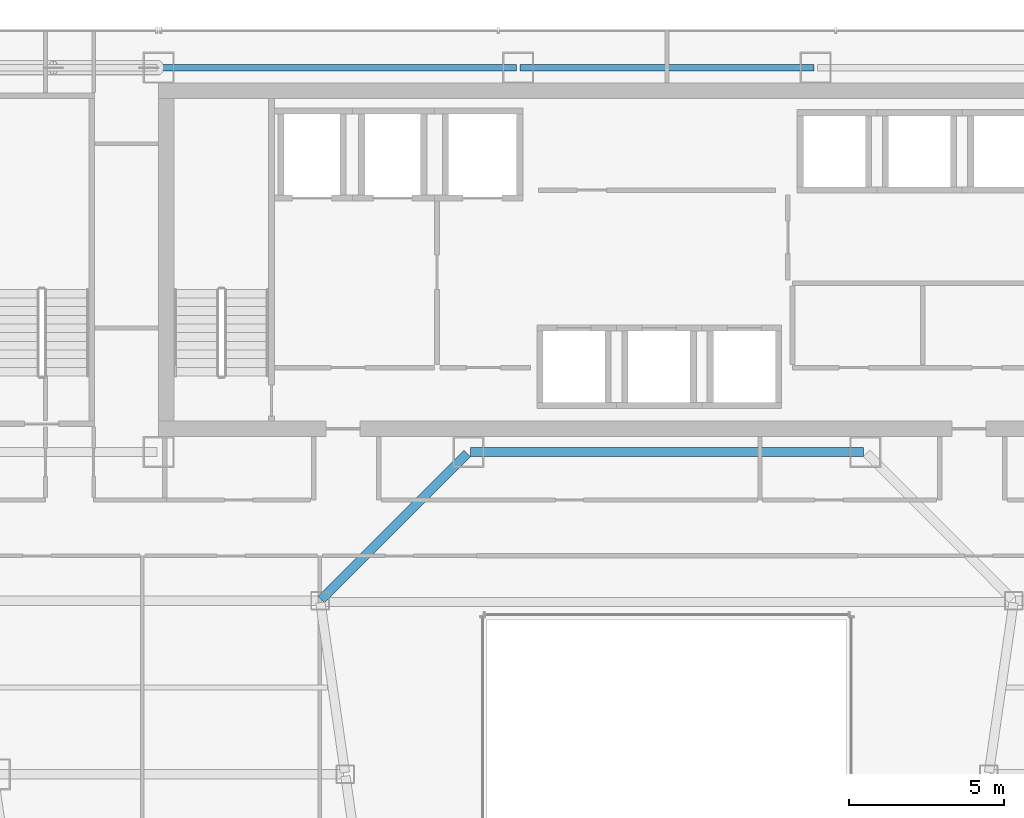
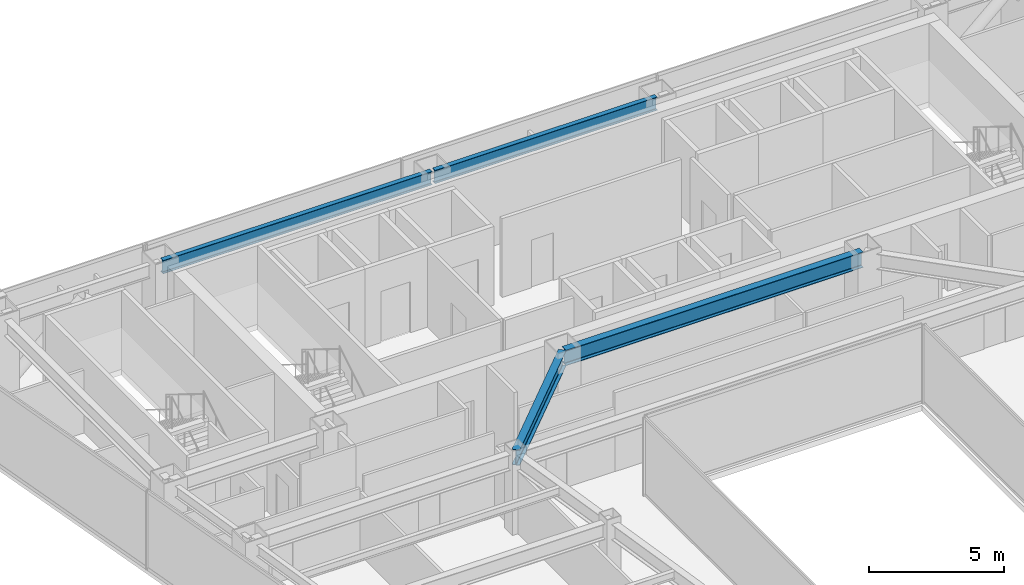
# One storey, part 21 of 37: 4 beams.
"""IFC4 building model written with IfcOpenShell, lengths in metres."""

from ifc_helpers import new_model, si_unit, direction, frame, origin, origin_2d, place, context, subcontext, project, spatial, i_section, extrude, material, material_profile, profile_set, type_object, element, save


model = new_model("IFC4")

# Units and contexts
model_context = context("Model", 3, precision=1e-05, world=origin(), true_north=direction((0.0, 1.0)))
body_context = subcontext(model_context, "Body", "Model", "MODEL_VIEW")
ifc_project = project(units=[si_unit("LENGTHUNIT", "METRE"), si_unit("AREAUNIT", "SQUARE_METRE"), si_unit("VOLUMEUNIT", "CUBIC_METRE"), si_unit("PLANEANGLEUNIT", "RADIAN"), si_unit("MASSUNIT", "GRAM", prefix="KILO")], contexts=[model_context])

# Site, building, storey
site_placement = place(None, origin())
site = spatial("IfcSite", under=ifc_project, at=site_placement, CompositionType="ELEMENT")
building_placement = place(site_placement, origin())
building = spatial("IfcBuilding", under=site, at=building_placement, Name="Saevonmaru Cultural Tower", CompositionType="ELEMENT")
storey_placement = place(building_placement, frame((0.0, 0.0, 160.0)))
storey = spatial("IfcBuildingStorey", under=building, at=storey_placement, Name="L35", CompositionType="ELEMENT", Elevation=160.0)

# Beams
ifc_material = material(Name="Steel SM355", Category="steel")
ifc_material_profile_1 = material_profile(ifc_material, i_section(OverallWidth=0.300048828125, OverallDepth=0.699951171875, WebThickness=0.012939453125, FlangeThickness=0.02392578125, FilletRadius=0.02587890625, at=origin_2d()), Name="H-700x300x13x24")
ifc_profile_set_1 = profile_set([ifc_material_profile_1], Name="Steel SM355")
beam_type_1 = type_object("IfcBeamType", Name="BM-G-H700", PredefinedType="BEAM", material=ifc_profile_set_1)
beam_1_placement = place(storey_placement, frame((23.659912109375, 42.39990234375, 3.199951171875), z_axis=(1.0, 0.0, 0.0), x_axis=(0.0, 1.0, 0.0)))
element("IfcBeam", 1, at=beam_1_placement, inside=storey, type_object=beam_type_1, Name="L35 Core South Girder 3", PredefinedType="BEAM", context=body_context, shape_type="SweptSolid", body=[
    extrude(i_section(OverallWidth=0.300048828125, OverallDepth=0.699951171875, WebThickness=0.012939453125, FlangeThickness=0.02392578125, FilletRadius=0.02587890625, at=origin_2d()), origin(), (0.0, 0.0, 1.0), 12.68017578125),
])
beam_2_placement = place(storey_placement, frame((18.850341796875, 37.642578125, 3.199951171875), z_axis=(0.706538566564, 0.707674539572, 0.0), x_axis=(-0.707674539572, 0.706538566564, 0.0)))
element("IfcBeam", 2, at=beam_2_placement, inside=storey, type_object=beam_type_1, Name="L35 West Atrium Girder 5", PredefinedType="BEAM", context=body_context, shape_type="SweptSolid", body=[
    extrude(i_section(OverallWidth=0.300048828125, OverallDepth=0.699951171875, WebThickness=0.012939453125, FlangeThickness=0.02392578125, FilletRadius=0.02587890625, at=origin_2d()), origin(), (0.0, 0.0, 1.0), 6.662353515625),
])
ifc_material_profile_2 = material_profile(ifc_material, i_section(OverallWidth=0.199951171875, OverallDepth=0.60009765625, WebThickness=0.010986328125, FlangeThickness=0.01708984375, FilletRadius=0.02197265625, at=origin_2d()), Name="H-600x200x11x17")
ifc_profile_set_2 = profile_set([ifc_material_profile_2], Name="Steel SM355")
beam_type_2 = type_object("IfcBeamType", Name="BM-SP-H600", PredefinedType="SPANDREL", material=ifc_profile_set_2)
beam_3_placement = place(storey_placement, frame((13.659912109375, 54.800048828125, 3.25), z_axis=(1.0, 0.0, 0.0), x_axis=(0.0, 1.0, 0.0)))
element("IfcBeam", 3, at=beam_3_placement, inside=storey, type_object=beam_type_2, Name="L35 North Spine Girder 2", PredefinedType="SPANDREL", context=body_context, shape_type="SweptSolid", body=[
    extrude(i_section(OverallWidth=0.199951171875, OverallDepth=0.60009765625, WebThickness=0.010986328125, FlangeThickness=0.01708984375, FilletRadius=0.02197265625, at=origin_2d()), origin(), (0.0, 0.0, 1.0), 11.47998046875),
])
beam_4_placement = place(storey_placement, frame((25.260009765625, 54.800048828125, 3.25), z_axis=(1.0, 0.0, 0.0), x_axis=(0.0, 1.0, 0.0)))
element("IfcBeam", 4, at=beam_4_placement, inside=storey, type_object=beam_type_2, Name="L35 North Spine Girder 3", PredefinedType="SPANDREL", context=body_context, shape_type="SweptSolid", body=[
    extrude(i_section(OverallWidth=0.199951171875, OverallDepth=0.60009765625, WebThickness=0.010986328125, FlangeThickness=0.01708984375, FilletRadius=0.02197265625, at=origin_2d()), origin(), (0.0, 0.0, 1.0), 9.47998046875),
])

save(model, "model.ifc")
